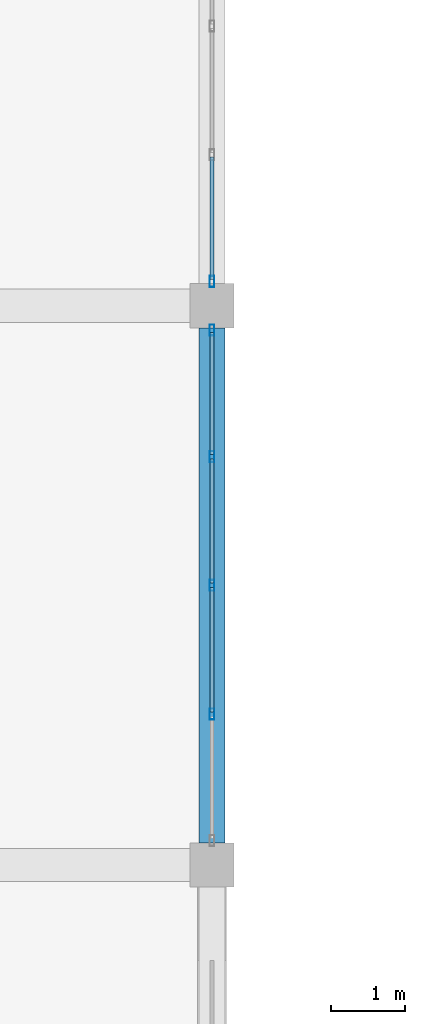
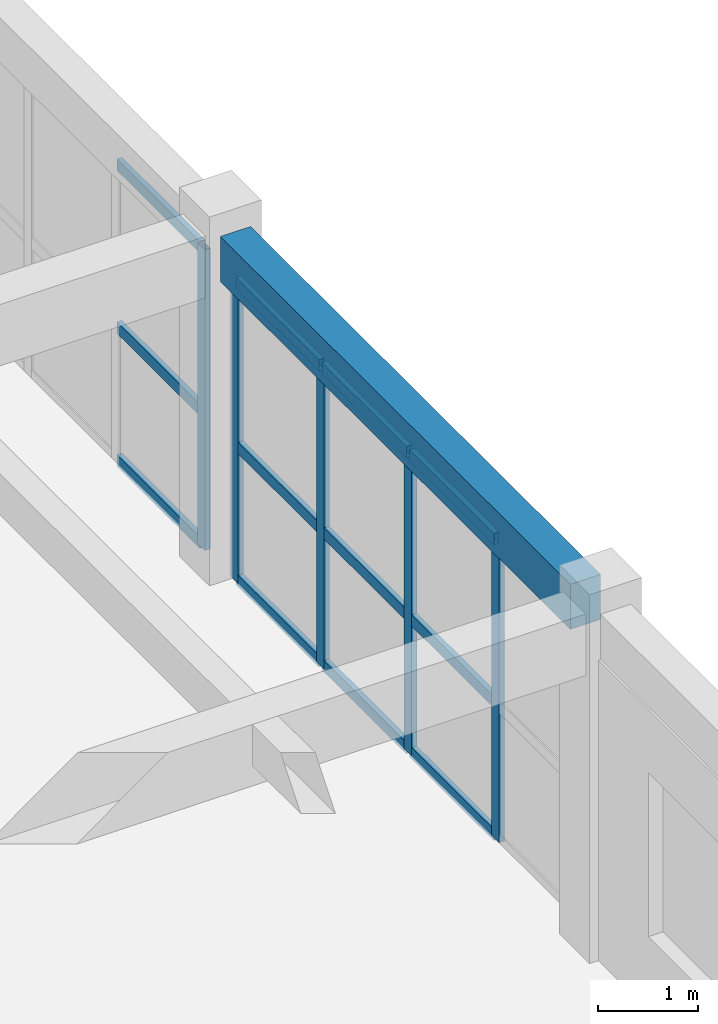
# One storey, part 10 of 79: 17 members, 1 beam, 2 elements without a shape of their own.
"""IFC4 building model written with IfcOpenShell, lengths in metres."""

from ifc_helpers import new_model, si_unit, direction, frame, origin, origin_2d, place, context, subcontext, project, spatial, rectangle, hollow_rectangle, extrude, material, material_profile, profile_set, type_object, element, aggregate, save


model = new_model("IFC4")

# Units and contexts
model_context = context("Model", 3, precision=1e-05, world=origin(), true_north=direction((0.0, 1.0)))
body_context = subcontext(model_context, "Body", "Model", "MODEL_VIEW")
ifc_project = project(units=[si_unit("LENGTHUNIT", "METRE"), si_unit("AREAUNIT", "SQUARE_METRE"), si_unit("VOLUMEUNIT", "CUBIC_METRE"), si_unit("PLANEANGLEUNIT", "RADIAN"), si_unit("MASSUNIT", "GRAM", prefix="KILO")], contexts=[model_context])

# Site, building, storey
site_placement = place(None, origin())
site = spatial("IfcSite", under=ifc_project, at=site_placement, CompositionType="ELEMENT")
building_placement = place(site_placement, origin())
building = spatial("IfcBuilding", under=site, at=building_placement, Name="Zantavel Square City Hall", CompositionType="ELEMENT")
storey_placement = place(building_placement, frame((0.0, 0.0, 10.199951171875)))
storey = spatial("IfcBuildingStorey", under=building, at=storey_placement, Name="L03", CompositionType="ELEMENT", Elevation=10.199951171875)

# Curtain wall, member
ifc_material_1 = material(Name="Anodised aluminium 6063-T6", Category="aluminium")
curtain_wall_type = type_object("IfcCurtainWallType", Name="Curtain Wall CRT 7000x3670", PredefinedType="USERDEFINED", material=ifc_material_1)
curtain_wall_1_placement = place(storey_placement, origin())
curtain_wall_1 = element("IfcCurtainWall", 1, at=curtain_wall_1_placement, inside=storey, type_object=curtain_wall_type, Name="L03 Glazed Curtain Wall CW-L03-099", ObjectType="GLAZED CURTAIN WALL", PredefinedType="USERDEFINED")
ifc_material_profile_1 = material_profile(ifc_material_1, hollow_rectangle(XDim=0.06494140625, YDim=0.14990234375, WallThickness=0.00390625, at=origin_2d()), Name="ALU 65x150x4")
ifc_profile_set_1 = profile_set([ifc_material_profile_1], Name="Anodised aluminium 6063-T6")
member_type_1 = type_object("IfcMemberType", Name="CW Mullion ALU 65x150x4", PredefinedType="MULLION", material=ifc_profile_set_1)
member_1_placement = place(storey_placement, frame((16.0, 45.929931640625, 0.0), z_axis=(0.0, 0.0, 1.0), x_axis=(1.0, 0.0, 0.0)))
member_1 = element("IfcMember", 2, at=member_1_placement, type_object=member_type_1, Name="CW-099 mullion 5", PredefinedType="MULLION", context=body_context, shape_type="SweptSolid", body=[
    extrude(hollow_rectangle(XDim=0.06494140625, YDim=0.14990234375, WallThickness=0.00390625, at=origin_2d()), origin(), (0.0, 0.0, 1.0), 3.670166015625),
])

# Curtain wall, members
curtain_wall_2_placement = place(storey_placement, origin())
curtain_wall_2 = element("IfcCurtainWall", 3, at=curtain_wall_2_placement, inside=storey, type_object=curtain_wall_type, Name="L03 Glazed Curtain Wall CW-L03-100", ObjectType="GLAZED CURTAIN WALL", PredefinedType="USERDEFINED")
member_2_placement = place(storey_placement, frame((16.0, 45.27001953125, 0.0), z_axis=(0.0, 0.0, 1.0), x_axis=(1.0, 0.0, 0.0)))
member_2 = element("IfcMember", 4, at=member_2_placement, type_object=member_type_1, Name="CW-100 mullion 1", PredefinedType="MULLION", context=body_context, shape_type="SweptSolid", body=[
    extrude(hollow_rectangle(XDim=0.06494140625, YDim=0.14990234375, WallThickness=0.00390625, at=origin_2d()), origin(), (0.0, 0.0, 1.0), 3.670166015625),
])
member_3_placement = place(storey_placement, frame((16.0, 43.550048828125, 0.0), z_axis=(0.0, 0.0, 1.0), x_axis=(1.0, 0.0, 0.0)))
member_3 = element("IfcMember", 5, at=member_3_placement, type_object=member_type_1, Name="CW-100 mullion 2", PredefinedType="MULLION", context=body_context, shape_type="SweptSolid", body=[
    extrude(hollow_rectangle(XDim=0.06494140625, YDim=0.14990234375, WallThickness=0.00390625, at=origin_2d()), origin(), (0.0, 0.0, 1.0), 3.670166015625),
])
member_4_placement = place(storey_placement, frame((16.0, 41.800048828125, 0.0), z_axis=(0.0, 0.0, 1.0), x_axis=(1.0, 0.0, 0.0)))
member_4 = element("IfcMember", 6, at=member_4_placement, type_object=member_type_1, Name="CW-100 mullion 3", PredefinedType="MULLION", context=body_context, shape_type="SweptSolid", body=[
    extrude(hollow_rectangle(XDim=0.06494140625, YDim=0.14990234375, WallThickness=0.00390625, at=origin_2d()), origin(), (0.0, 0.0, 1.0), 3.670166015625),
])
member_5_placement = place(storey_placement, frame((16.0, 40.050048828125, 0.0), z_axis=(0.0, 0.0, 1.0), x_axis=(1.0, 0.0, 0.0)))
member_5 = element("IfcMember", 7, at=member_5_placement, type_object=member_type_1, Name="CW-100 mullion 4", PredefinedType="MULLION", context=body_context, shape_type="SweptSolid", body=[
    extrude(hollow_rectangle(XDim=0.06494140625, YDim=0.14990234375, WallThickness=0.00390625, at=origin_2d()), origin(), (0.0, 0.0, 1.0), 3.670166015625),
])

# Member
ifc_material_profile_2 = material_profile(ifc_material_1, hollow_rectangle(XDim=0.06005859375, YDim=0.139892578125, WallThickness=0.00390625, at=origin_2d()), Name="ALU 60x140x4")
ifc_profile_set_2 = profile_set([ifc_material_profile_2], Name="Anodised aluminium 6063-T6")
member_type_2 = type_object("IfcMemberType", Name="CW Transom ALU 60x140x4", PredefinedType="USERDEFINED", material=ifc_profile_set_2)
member_6_placement = place(storey_placement, frame((16.0, 47.6201171875, 0.030029296875), z_axis=(0.0, -1.0, 0.0), x_axis=(1.0, 0.0, 0.0)))
member_6 = element("IfcMember", 8, at=member_6_placement, type_object=member_type_2, Name="CW-099 transom 4.1", ObjectType="TRANSOM", PredefinedType="USERDEFINED", context=body_context, shape_type="SweptSolid", body=[
    extrude(hollow_rectangle(XDim=0.06005859375, YDim=0.139892578125, WallThickness=0.00390625, at=origin_2d()), origin(), (0.0, 0.0, 1.0), 1.66015625),
])

member_7_placement = place(storey_placement, frame((16.0, 47.6201171875, 1.651123046875), z_axis=(0.0, -1.0, 0.0), x_axis=(1.0, 0.0, 0.0)))
member_7 = element("IfcMember", 9, at=member_7_placement, type_object=member_type_2, Name="CW-099 transom 4.2", ObjectType="TRANSOM", PredefinedType="USERDEFINED", context=body_context, shape_type="SweptSolid", body=[
    extrude(hollow_rectangle(XDim=0.06005859375, YDim=0.139892578125, WallThickness=0.00390625, at=origin_2d()), origin(), (0.0, 0.0, 1.0), 1.66015625),
])

member_8_placement = place(storey_placement, frame((16.0, 47.6201171875, 3.64013671875), z_axis=(0.0, -1.0, 0.0), x_axis=(1.0, 0.0, 0.0)))
member_8 = element("IfcMember", 10, at=member_8_placement, type_object=member_type_2, Name="CW-099 transom 4.3", ObjectType="TRANSOM", PredefinedType="USERDEFINED", context=body_context, shape_type="SweptSolid", body=[
    extrude(hollow_rectangle(XDim=0.06005859375, YDim=0.139892578125, WallThickness=0.00390625, at=origin_2d()), origin(), (0.0, 0.0, 1.0), 1.66015625),
])

aggregate(curtain_wall_1, [member_1, member_6, member_7, member_8])

member_9_placement = place(storey_placement, frame((16.0, 45.239990234375, 0.030029296875), z_axis=(0.0, -1.0, 0.0), x_axis=(1.0, 0.0, 0.0)))
member_9 = element("IfcMember", 11, at=member_9_placement, type_object=member_type_2, Name="CW-100 transom 1.1", ObjectType="TRANSOM", PredefinedType="USERDEFINED", context=body_context, shape_type="SweptSolid", body=[
    extrude(hollow_rectangle(XDim=0.06005859375, YDim=0.139892578125, WallThickness=0.00390625, at=origin_2d()), origin(), (0.0, 0.0, 1.0), 1.659912109375),
])

member_10_placement = place(storey_placement, frame((16.0, 45.239990234375, 1.651123046875), z_axis=(0.0, -1.0, 0.0), x_axis=(1.0, 0.0, 0.0)))
member_10 = element("IfcMember", 12, at=member_10_placement, type_object=member_type_2, Name="CW-100 transom 1.2", ObjectType="TRANSOM", PredefinedType="USERDEFINED", context=body_context, shape_type="SweptSolid", body=[
    extrude(hollow_rectangle(XDim=0.06005859375, YDim=0.139892578125, WallThickness=0.00390625, at=origin_2d()), origin(), (0.0, 0.0, 1.0), 1.659912109375),
])

member_11_placement = place(storey_placement, frame((16.0, 45.239990234375, 3.64013671875), z_axis=(0.0, -1.0, 0.0), x_axis=(1.0, 0.0, 0.0)))
member_11 = element("IfcMember", 13, at=member_11_placement, type_object=member_type_2, Name="CW-100 transom 1.3", ObjectType="TRANSOM", PredefinedType="USERDEFINED", context=body_context, shape_type="SweptSolid", body=[
    extrude(hollow_rectangle(XDim=0.06005859375, YDim=0.139892578125, WallThickness=0.00390625, at=origin_2d()), origin(), (0.0, 0.0, 1.0), 1.659912109375),
])

member_12_placement = place(storey_placement, frame((16.0, 43.52001953125, 0.030029296875), z_axis=(0.0, -1.0, 0.0), x_axis=(1.0, 0.0, 0.0)))
member_12 = element("IfcMember", 14, at=member_12_placement, type_object=member_type_2, Name="CW-100 transom 2.1", ObjectType="TRANSOM", PredefinedType="USERDEFINED", context=body_context, shape_type="SweptSolid", body=[
    extrude(hollow_rectangle(XDim=0.06005859375, YDim=0.139892578125, WallThickness=0.00390625, at=origin_2d()), origin(), (0.0, 0.0, 1.0), 1.68994140625),
])

member_13_placement = place(storey_placement, frame((16.0, 43.52001953125, 1.651123046875), z_axis=(0.0, -1.0, 0.0), x_axis=(1.0, 0.0, 0.0)))
member_13 = element("IfcMember", 15, at=member_13_placement, type_object=member_type_2, Name="CW-100 transom 2.2", ObjectType="TRANSOM", PredefinedType="USERDEFINED", context=body_context, shape_type="SweptSolid", body=[
    extrude(hollow_rectangle(XDim=0.06005859375, YDim=0.139892578125, WallThickness=0.00390625, at=origin_2d()), origin(), (0.0, 0.0, 1.0), 1.68994140625),
])

member_14_placement = place(storey_placement, frame((16.0, 43.52001953125, 3.64013671875), z_axis=(0.0, -1.0, 0.0), x_axis=(1.0, 0.0, 0.0)))
member_14 = element("IfcMember", 16, at=member_14_placement, type_object=member_type_2, Name="CW-100 transom 2.3", ObjectType="TRANSOM", PredefinedType="USERDEFINED", context=body_context, shape_type="SweptSolid", body=[
    extrude(hollow_rectangle(XDim=0.06005859375, YDim=0.139892578125, WallThickness=0.00390625, at=origin_2d()), origin(), (0.0, 0.0, 1.0), 1.68994140625),
])

member_15_placement = place(storey_placement, frame((16.0, 41.77001953125, 0.030029296875), z_axis=(0.0, -1.0, 0.0), x_axis=(1.0, 0.0, 0.0)))
member_15 = element("IfcMember", 17, at=member_15_placement, type_object=member_type_2, Name="CW-100 transom 3.1", ObjectType="TRANSOM", PredefinedType="USERDEFINED", context=body_context, shape_type="SweptSolid", body=[
    extrude(hollow_rectangle(XDim=0.06005859375, YDim=0.139892578125, WallThickness=0.00390625, at=origin_2d()), origin(), (0.0, 0.0, 1.0), 1.68994140625),
])

member_16_placement = place(storey_placement, frame((16.0, 41.77001953125, 1.651123046875), z_axis=(0.0, -1.0, 0.0), x_axis=(1.0, 0.0, 0.0)))
member_16 = element("IfcMember", 18, at=member_16_placement, type_object=member_type_2, Name="CW-100 transom 3.2", ObjectType="TRANSOM", PredefinedType="USERDEFINED", context=body_context, shape_type="SweptSolid", body=[
    extrude(hollow_rectangle(XDim=0.06005859375, YDim=0.139892578125, WallThickness=0.00390625, at=origin_2d()), origin(), (0.0, 0.0, 1.0), 1.68994140625),
])

member_17_placement = place(storey_placement, frame((16.0, 41.77001953125, 3.64013671875), z_axis=(0.0, -1.0, 0.0), x_axis=(1.0, 0.0, 0.0)))
member_17 = element("IfcMember", 19, at=member_17_placement, type_object=member_type_2, Name="CW-100 transom 3.3", ObjectType="TRANSOM", PredefinedType="USERDEFINED", context=body_context, shape_type="SweptSolid", body=[
    extrude(hollow_rectangle(XDim=0.06005859375, YDim=0.139892578125, WallThickness=0.00390625, at=origin_2d()), origin(), (0.0, 0.0, 1.0), 1.68994140625),
])

aggregate(curtain_wall_2, [member_2, member_3, member_4, member_5, member_9, member_10, member_11, member_12, member_13, member_14, member_15, member_16, member_17])

# Beam
ifc_material_2 = material(Name="Concrete C35/45", Category="concrete")
ifc_material_profile_3 = material_profile(ifc_material_2, rectangle(XDim=0.35009765625, YDim=0.550048828125, at=origin_2d()), Name="RC 350x550")
ifc_profile_set_3 = profile_set([ifc_material_profile_3], Name="Concrete C35/45")
beam_type = type_object("IfcBeamType", Name="Secondary Beam RC 350x550 C35/45", PredefinedType="BEAM", material=ifc_profile_set_3)
beam_placement = place(storey_placement, frame((16.0, 38.300048828125, 3.945068359375), z_axis=(0.0, 1.0, 0.0), x_axis=(-1.0, 0.0, 0.0)))
element("IfcBeam", 20, at=beam_placement, inside=storey, type_object=beam_type, Name="L03 Beam BMY-L03-0160-0380", PredefinedType="BEAM", context=body_context, shape_type="SweptSolid", body=[
    extrude(rectangle(XDim=0.35009765625, YDim=0.550048828125, at=origin_2d()), origin(), (0.0, 0.0, 1.0), 7.0),
])

save(model, "model.ifc")
